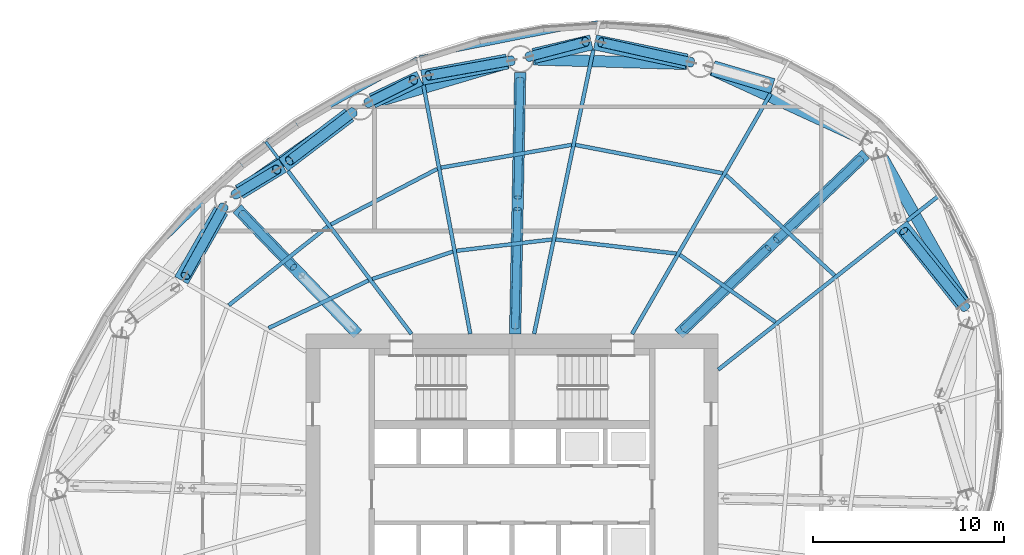
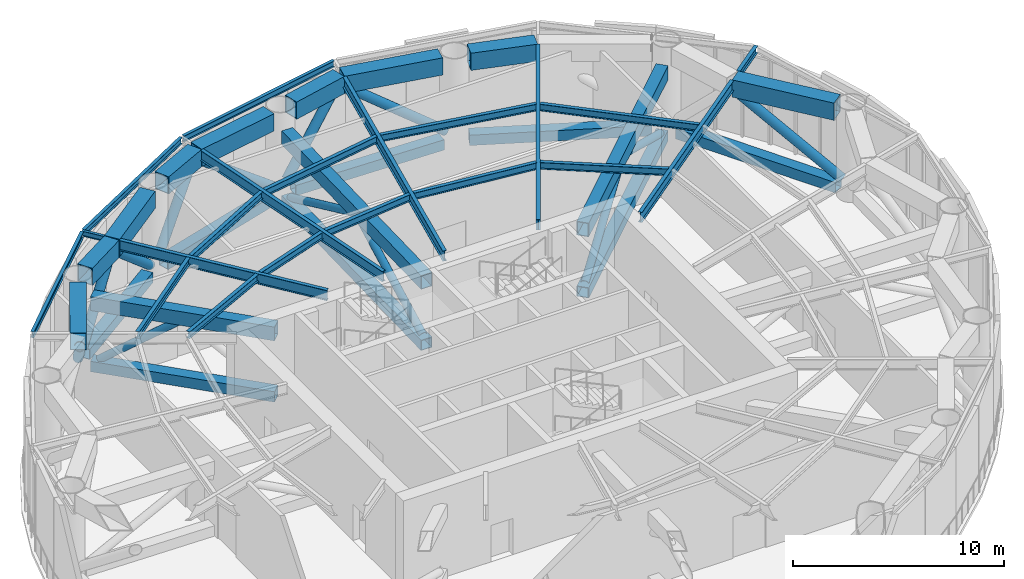
# One storey, part 5 of 19: 33 members, 20 beams.
"""IFC4 building model written with IfcOpenShell, lengths in metres."""

from ifc_helpers import new_model, si_unit, direction, frame, origin, origin_2d, place, context, subcontext, project, spatial, hollow_rectangle, hollow_circle, i_section, extrude, material, material_profile, profile_set, type_object, element, save


model = new_model("IFC4")

# Units and contexts
model_context = context("Model", 3, precision=1e-05, world=origin(), true_north=direction((0.0, 1.0)))
body_context = subcontext(model_context, "Body", "Model", "MODEL_VIEW")
ifc_project = project(units=[si_unit("LENGTHUNIT", "METRE"), si_unit("AREAUNIT", "SQUARE_METRE"), si_unit("VOLUMEUNIT", "CUBIC_METRE"), si_unit("PLANEANGLEUNIT", "RADIAN"), si_unit("MASSUNIT", "GRAM", prefix="KILO")], contexts=[model_context])

# Site, building, storey
site_placement = place(None, origin())
site = spatial("IfcSite", under=ifc_project, at=site_placement, CompositionType="ELEMENT")
building_placement = place(site_placement, origin())
building = spatial("IfcBuilding", under=site, at=building_placement, Name="Vermilion Reach Broadcast Tower", CompositionType="ELEMENT")
storey_placement = place(building_placement, frame((0.0, 0.0, 190.199951171875)))
storey = spatial("IfcBuildingStorey", under=building, at=storey_placement, Name="L46", CompositionType="ELEMENT", Elevation=190.199951171875)

# Members
ifc_material_1 = material(Name="Steel S460NL", Category="steel")
ifc_material_profile_1 = material_profile(ifc_material_1, hollow_rectangle(XDim=0.60009765625, YDim=0.60009765625, WallThickness=0.030029296875, at=origin_2d()), Name="S460NL BOX 600x600x30")
ifc_profile_set_1 = profile_set([ifc_material_profile_1], Name="Steel S460NL")
member_type_1 = type_object("IfcMemberType", Name="BT3-BC BOX 600x600x30", PredefinedType="CHORD", material=ifc_profile_set_1)
member_1_placement = place(storey_placement, frame((12.389892578125, 18.594970703125, 0.300048828125), z_axis=(-0.908546241769, 0.417784306272, 0.0), x_axis=(-0.417784306272, -0.908546241769, 0.0)))
element("IfcMember", 1, at=member_1_placement, inside=storey, type_object=member_type_1, Name="Belt truss bottom chord BT3-BC01", PredefinedType="CHORD", context=body_context, shape_type="SweptSolid", body=[
    extrude(hollow_rectangle(XDim=0.60009765625, YDim=0.60009765625, WallThickness=0.030029296875, at=origin_2d()), origin(), (0.0, 0.0, 1.0), 8.704833984375),
])
member_2_placement = place(storey_placement, frame((3.1455078125, 22.544677734375, 0.300048828125), z_axis=(-0.999569781146, 0.029330063427, 0.0), x_axis=(-0.029330063427, -0.999569781146, 0.0)))
element("IfcMember", 2, at=member_2_placement, inside=storey, type_object=member_type_1, Name="Belt truss bottom chord BT3-BC02", PredefinedType="CHORD", context=body_context, shape_type="SweptSolid", body=[
    extrude(hollow_rectangle(XDim=0.60009765625, YDim=0.60009765625, WallThickness=0.030029296875, at=origin_2d()), origin(), (0.0, 0.0, 1.0), 8.007568359375),
])
member_3_placement = place(storey_placement, frame((-6.229248046875, 22.60009765625, 0.300048828125), z_axis=(-0.958416970322, -0.285371531516, 0.0), x_axis=(0.285371531516, -0.958416970322, 0.0)))
element("IfcMember", 3, at=member_3_placement, inside=storey, type_object=member_type_1, Name="Belt truss bottom chord BT3-BC03", PredefinedType="CHORD", context=body_context, shape_type="SweptSolid", body=[
    extrude(hollow_rectangle(XDim=0.60009765625, YDim=0.60009765625, WallThickness=0.030029296875, at=origin_2d()), origin(), (0.0, 0.0, 1.0), 7.357421875),
])
member_4_placement = place(storey_placement, frame((-14.525634765625, 19.900146484375, 0.300048828125), z_axis=(-0.820111453349, -0.572203813415, 0.0), x_axis=(0.572203813415, -0.820111453349, 0.0)))
element("IfcMember", 4, at=member_4_placement, inside=storey, type_object=member_type_1, Name="Belt truss bottom chord BT3-BC04", PredefinedType="CHORD", context=body_context, shape_type="SweptSolid", body=[
    extrude(hollow_rectangle(XDim=0.60009765625, YDim=0.60009765625, WallThickness=0.030029296875, at=origin_2d()), origin(), (0.0, 0.0, 1.0), 7.04736328125),
])
member_5_placement = place(storey_placement, frame((17.696533203125, 10.026123046875, 0.300048828125), z_axis=(-0.491466825026, 0.870896296869, 0.0), x_axis=(-0.870896296869, -0.491466825026, 0.0)))
element("IfcMember", 5, at=member_5_placement, inside=storey, type_object=member_type_1, Name="Belt truss bottom chord BT3-BC16", PredefinedType="CHORD", context=body_context, shape_type="SweptSolid", body=[
    extrude(hollow_rectangle(XDim=0.60009765625, YDim=0.60009765625, WallThickness=0.030029296875, at=origin_2d()), origin(), (0.0, 0.0, 1.0), 8.803466796875),
])
ifc_material_2 = material(Name="Steel S355J2H", Category="steel")
ifc_material_profile_2 = material_profile(ifc_material_2, hollow_circle(Radius=0.25390625, WallThickness=0.02001953125, at=origin_2d()), Name="S355J2H CHS 508x20")
ifc_profile_set_2 = profile_set([ifc_material_profile_2], Name="Steel S355J2H")
member_type_2 = type_object("IfcMemberType", Name="BT3-D CHS 508x20", PredefinedType="BRACE", material=ifc_profile_set_2)
member_6_placement = place(storey_placement, frame((3.406005859375, 22.621826171875, 0.800048828125), z_axis=(-0.789732870215, 0.175604290821, 0.587779828463), x_axis=(-0.217057783335, -0.976158756911, 0.0)))
element("IfcMember", 6, at=member_6_placement, inside=storey, type_object=member_type_2, Name="Belt truss diagonal BT3-D02A", PredefinedType="BRACE", context=body_context, shape_type="SweptSolid", body=[
    extrude(hollow_circle(Radius=0.25390625, WallThickness=0.02001953125, at=origin_2d()), origin(), (0.0, 0.0, 1.0), 6.022705078125),
])
member_7_placement = place(storey_placement, frame((-5.123291015625, 22.915283203125, 0.800048828125), z_axis=(0.634026201671, 0.16794223882, 0.754855072192), x_axis=(-0.256051812758, 0.966663058766, 0.0)))
element("IfcMember", 7, at=member_7_placement, inside=storey, type_object=member_type_2, Name="Belt truss diagonal BT3-D02B", PredefinedType="BRACE", context=body_context, shape_type="SweptSolid", body=[
    extrude(hollow_circle(Radius=0.25390625, WallThickness=0.02001953125, at=origin_2d()), origin(), (0.0, 0.0, 1.0), 4.689697265625),
])
member_8_placement = place(storey_placement, frame((-6.001220703125, 22.720458984375, 0.800048828125), z_axis=(-0.770564794127, -0.138417619347, 0.622149869973), x_axis=(0.176801562769, -0.984246517597, 0.0)))
element("IfcMember", 8, at=member_8_placement, inside=storey, type_object=member_type_2, Name="Belt truss diagonal BT3-D03A", PredefinedType="BRACE", context=body_context, shape_type="SweptSolid", body=[
    extrude(hollow_circle(Radius=0.25390625, WallThickness=0.02001953125, at=origin_2d()), origin(), (0.0, 0.0, 1.0), 5.68994140625),
])
member_9_placement = place(storey_placement, frame((-13.54931640625, 20.50244140625, 0.800048828125), z_axis=(0.53969771291, 0.270700981804, 0.797149519934), x_axis=(-0.44834228964, 0.893861953167, 0.0)))
element("IfcMember", 9, at=member_9_placement, inside=storey, type_object=member_type_2, Name="Belt truss diagonal BT3-D03B", PredefinedType="BRACE", context=body_context, shape_type="SweptSolid", body=[
    extrude(hollow_circle(Radius=0.25390625, WallThickness=0.02001953125, at=origin_2d()), origin(), (0.0, 0.0, 1.0), 4.44091796875),
])
member_10_placement = place(storey_placement, frame((-14.309326171875, 20.027587890625, 0.800048828125), z_axis=(-0.609097937312, -0.464954507218, 0.642508372692), x_axis=(0.606769480888, -0.794877850404, 0.0)))
element("IfcMember", 10, at=member_10_placement, inside=storey, type_object=member_type_2, Name="Belt truss diagonal BT3-D04A", PredefinedType="BRACE", context=body_context, shape_type="SweptSolid", body=[
    extrude(hollow_circle(Radius=0.25390625, WallThickness=0.02001953125, at=origin_2d()), origin(), (0.0, 0.0, 1.0), 5.509765625),
])
member_11_placement = place(storey_placement, frame((-20.49365234375, 15.699462890625, 0.800048828125), z_axis=(0.498854282435, 0.300501118662, 0.812922802349), x_axis=(-0.515995613285, 0.856591225189, 0.0)))
element("IfcMember", 11, at=member_11_placement, inside=storey, type_object=member_type_2, Name="Belt truss diagonal BT3-D04B", PredefinedType="BRACE", context=body_context, shape_type="SweptSolid", body=[
    extrude(hollow_circle(Radius=0.25390625, WallThickness=0.02001953125, at=origin_2d()), origin(), (0.0, 0.0, 1.0), 4.354736328125),
])
member_12_placement = place(storey_placement, frame((-21.096923828125, 15.073486328125, 0.800048828125), z_axis=(-0.36814083043, -0.66593798936, 0.648844298193), x_axis=(0.875173391155, -0.483809399881, 0.0)))
element("IfcMember", 12, at=member_12_placement, inside=storey, type_object=member_type_2, Name="Belt truss diagonal BT3-D05A", PredefinedType="BRACE", context=body_context, shape_type="SweptSolid", body=[
    extrude(hollow_circle(Radius=0.25390625, WallThickness=0.02001953125, at=origin_2d()), origin(), (0.0, 0.0, 1.0), 5.455810546875),
])
member_13_placement = place(storey_placement, frame((17.758056640625, 9.766845703125, 0.800048828125), z_axis=(-0.517850533058, 0.642158049048, 0.565211345829), x_axis=(-0.778424211723, -0.62773859735, 0.0)))
element("IfcMember", 13, at=member_13_placement, inside=storey, type_object=member_type_2, Name="Belt truss diagonal BT3-D16A", PredefinedType="BRACE", context=body_context, shape_type="SweptSolid", body=[
    extrude(hollow_circle(Radius=0.25390625, WallThickness=0.02001953125, at=origin_2d()), origin(), (0.0, 0.0, 1.0), 6.26318359375),
])
ifc_material_3 = material(Name="Steel S460NL", Category="steel")
ifc_material_profile_3 = material_profile(ifc_material_3, hollow_rectangle(XDim=0.800048828125, YDim=1.0, WallThickness=0.0400390625, at=origin_2d()), Name="S460NL BOX 800x1000x40")
ifc_profile_set_3 = profile_set([ifc_material_profile_3], Name="Steel S460NL")
member_type_3 = type_object("IfcMemberType", Name="BT3-TC BOX 800x1000x40", PredefinedType="CHORD", material=ifc_profile_set_3)
member_14_placement = place(storey_placement, frame((7.654052734375, 21.384765625, 4.85009765625), z_axis=(-0.958062589396, 0.286559024983, 0.0), x_axis=(-0.286559024983, -0.958062589396, 0.0)))
element("IfcMember", 14, at=member_14_placement, inside=storey, type_object=member_type_3, Name="Belt truss top chord BT3-TC02", PredefinedType="CHORD", context=body_context, shape_type="SweptSolid", body=[
    extrude(hollow_rectangle(XDim=0.800048828125, YDim=1.0, WallThickness=0.0400390625, at=origin_2d()), origin(), (0.0, 0.0, 1.0), 3.265625),
])
member_15_placement = place(storey_placement, frame((3.150146484375, 22.6689453125, 4.85009765625), z_axis=(-0.978936154823, 0.204166610347, 0.0), x_axis=(-0.204166610347, -0.978936154823, 0.0)))
element("IfcMember", 15, at=member_15_placement, inside=storey, type_object=member_type_3, Name="Belt truss top chord BT3-TC03", PredefinedType="CHORD", context=body_context, shape_type="SweptSolid", body=[
    extrude(hollow_rectangle(XDim=0.800048828125, YDim=1.0, WallThickness=0.0400390625, at=origin_2d()), origin(), (0.0, 0.0, 1.0), 4.912353515625),
])
member_16_placement = place(storey_placement, frame((-1.841064453125, 23.669677734375, 4.85009765625), z_axis=(-0.97370078773, -0.227830586124, 0.0), x_axis=(0.227830586124, -0.97370078773, 0.0)))
element("IfcMember", 16, at=member_16_placement, inside=storey, type_object=member_type_3, Name="Belt truss top chord BT3-TC04", PredefinedType="CHORD", context=body_context, shape_type="SweptSolid", body=[
    extrude(hollow_rectangle(XDim=0.800048828125, YDim=1.0, WallThickness=0.0400390625, at=origin_2d()), origin(), (0.0, 0.0, 1.0), 3.107666015625),
])
member_17_placement = place(storey_placement, frame((-6.255859375, 22.66845703125, 4.85009765625), z_axis=(-0.982737253011, -0.185006733779, 0.0), x_axis=(0.185006733779, -0.982737253011, 0.0)))
element("IfcMember", 17, at=member_17_placement, inside=storey, type_object=member_type_3, Name="Belt truss top chord BT3-TC05", PredefinedType="CHORD", context=body_context, shape_type="SweptSolid", body=[
    extrude(hollow_rectangle(XDim=0.800048828125, YDim=1.0, WallThickness=0.0400390625, at=origin_2d()), origin(), (0.0, 0.0, 1.0), 4.53564453125),
])
member_18_placement = place(storey_placement, frame((-10.82080078125, 21.794189453125, 4.85009765625), z_axis=(-0.902574055151, -0.430534638524, 0.0), x_axis=(0.430534638524, -0.902574055151, 0.0)))
element("IfcMember", 18, at=member_18_placement, inside=storey, type_object=member_type_3, Name="Belt truss top chord BT3-TC06", PredefinedType="CHORD", context=body_context, shape_type="SweptSolid", body=[
    extrude(hollow_rectangle(XDim=0.800048828125, YDim=1.0, WallThickness=0.0400390625, at=origin_2d()), origin(), (0.0, 0.0, 1.0), 2.7587890625),
])
member_19_placement = place(storey_placement, frame((-14.517578125, 19.871826171875, 4.85009765625), z_axis=(-0.796881904774, -0.604135108932, 0.0), x_axis=(0.604135108932, -0.796881904774, 0.0)))
element("IfcMember", 19, at=member_19_placement, inside=storey, type_object=member_type_3, Name="Belt truss top chord BT3-TC07", PredefinedType="CHORD", context=body_context, shape_type="SweptSolid", body=[
    extrude(hollow_rectangle(XDim=0.800048828125, YDim=1.0, WallThickness=0.0400390625, at=origin_2d()), origin(), (0.0, 0.0, 1.0), 4.3369140625),
])
member_20_placement = place(storey_placement, frame((-18.014404296875, 17.223876953125, 4.85009765625), z_axis=(-0.852495327157, -0.522734844043, 0.0), x_axis=(0.522734844043, -0.852495327157, 0.0)))
element("IfcMember", 20, at=member_20_placement, inside=storey, type_object=member_type_3, Name="Belt truss top chord BT3-TC08", PredefinedType="CHORD", context=body_context, shape_type="SweptSolid", body=[
    extrude(hollow_rectangle(XDim=0.800048828125, YDim=1.0, WallThickness=0.0400390625, at=origin_2d()), origin(), (0.0, 0.0, 1.0), 2.650390625),
])
member_21_placement = place(storey_placement, frame((-21.232177734375, 14.851318359375, 4.85009765625), z_axis=(-0.49728541573, -0.867587007338, 0.0), x_axis=(0.867587007338, -0.49728541573, 0.0)))
element("IfcMember", 21, at=member_21_placement, inside=storey, type_object=member_type_3, Name="Belt truss top chord BT3-TC09", PredefinedType="CHORD", context=body_context, shape_type="SweptSolid", body=[
    extrude(hollow_rectangle(XDim=0.800048828125, YDim=1.0, WallThickness=0.0400390625, at=origin_2d()), origin(), (0.0, 0.0, 1.0), 4.195068359375),
])
member_22_placement = place(storey_placement, frame((17.600830078125, 9.97412109375, 4.85009765625), z_axis=(-0.619189459587, 0.785241627231, 0.0), x_axis=(-0.785241627231, -0.619189459587, 0.0)))
element("IfcMember", 22, at=member_22_placement, inside=storey, type_object=member_type_3, Name="Belt truss top chord BT3-TC31", PredefinedType="CHORD", context=body_context, shape_type="SweptSolid", body=[
    extrude(hollow_rectangle(XDim=0.800048828125, YDim=1.0, WallThickness=0.0400390625, at=origin_2d()), origin(), (0.0, 0.0, 1.0), 5.222412109375),
])

# Beams
ifc_material_4 = material(Name="Steel S355J2", Category="steel")
ifc_material_profile_4 = material_profile(ifc_material_4, i_section(OverallWidth=0.175048828125, OverallDepth=0.35009765625, WebThickness=0.007080078125, FlangeThickness=0.010986328125, at=origin_2d()), Name="S355J2 HN 350x175x7x11")
ifc_profile_set_4 = profile_set([ifc_material_profile_4], Name="Steel S355J2")
beam_type_1 = type_object("IfcBeamType", Name="EB4 HN 350x175x7x11", PredefinedType="BEAM", material=ifc_profile_set_4)
beam_1_placement = place(storey_placement, frame((-1.51513671875, 24.72705078125, 5.175048828125), z_axis=(-0.980974018231, -0.194139062416, 0.0), x_axis=(0.194139062416, -0.980974018231, 0.0)))
element("IfcBeam", 23, at=beam_1_placement, inside=storey, type_object=beam_type_1, Name="Edge beam EB4-02", PredefinedType="BEAM", context=body_context, shape_type="SweptSolid", body=[
    extrude(i_section(OverallWidth=0.175048828125, OverallDepth=0.35009765625, WebThickness=0.007080078125, FlangeThickness=0.010986328125, at=origin_2d()), origin(), (0.0, 0.0, 1.0), 9.500732421875),
])
beam_2_placement = place(storey_placement, frame((-10.977783203125, 22.829833984375, 5.175048828125), z_axis=(-0.875822279615, -0.482633747816, 0.0), x_axis=(0.482633747816, -0.875822279615, 0.0)))
element("IfcBeam", 24, at=beam_2_placement, inside=storey, type_object=beam_type_1, Name="Edge beam EB4-03", PredefinedType="BEAM", context=body_context, shape_type="SweptSolid", body=[
    extrude(i_section(OverallWidth=0.175048828125, OverallDepth=0.35009765625, WebThickness=0.007080078125, FlangeThickness=0.010986328125, at=origin_2d()), origin(), (0.0, 0.0, 1.0), 8.963623046875),
])
beam_3_placement = place(storey_placement, frame((-18.948974609375, 18.41455078125, 5.175048828125), z_axis=(-0.717877337912, -0.69616961131, 0.0), x_axis=(0.69616961131, -0.717877337912, 0.0)))
element("IfcBeam", 25, at=beam_3_placement, inside=storey, type_object=beam_type_1, Name="Edge beam EB4-04", PredefinedType="BEAM", context=body_context, shape_type="SweptSolid", body=[
    extrude(i_section(OverallWidth=0.175048828125, OverallDepth=0.35009765625, WebThickness=0.007080078125, FlangeThickness=0.010986328125, at=origin_2d()), origin(), (0.0, 0.0, 1.0), 8.659912109375),
])
ifc_material_5 = material(Name="Steel S355J2", Category="steel")
ifc_material_profile_5 = material_profile(ifc_material_5, i_section(OverallWidth=0.199951171875, OverallDepth=0.60009765625, WebThickness=0.010986328125, FlangeThickness=0.01708984375, at=origin_2d()), Name="S355J2 HN 600x200x11x17")
ifc_profile_set_5 = profile_set([ifc_material_profile_5], Name="Steel S355J2")
beam_type_2 = type_object("IfcBeamType", Name="G4 HN 600x200x11x17", PredefinedType="BEAM", material=ifc_profile_set_5)
beam_4_placement = place(storey_placement, frame((0.288330078125, 8.39990234375, 5.050048828125), z_axis=(0.499328960966, 0.86641248187, 0.0), x_axis=(-0.86641248187, 0.499328960966, 0.0)))
element("IfcBeam", 26, at=beam_4_placement, inside=storey, type_object=beam_type_2, Name="Girder G4-01", PredefinedType="BEAM", context=body_context, shape_type="SweptSolid", body=[
    extrude(i_section(OverallWidth=0.199951171875, OverallDepth=0.60009765625, WebThickness=0.010986328125, FlangeThickness=0.01708984375, at=origin_2d()), origin(), (0.0, 0.0, 1.0), 14.5400390625),
])
beam_5_placement = place(storey_placement, frame((-4.84375, 8.39990234375, 5.050048828125), z_axis=(0.20416782623, 0.978935901238, 0.0), x_axis=(-0.978935901238, 0.20416782623, 0.0)))
element("IfcBeam", 27, at=beam_5_placement, inside=storey, type_object=beam_type_2, Name="Girder G4-02", PredefinedType="BEAM", context=body_context, shape_type="SweptSolid", body=[
    extrude(i_section(OverallWidth=0.199951171875, OverallDepth=0.60009765625, WebThickness=0.010986328125, FlangeThickness=0.01708984375, at=origin_2d()), origin(), (0.0, 0.0, 1.0), 15.200927734375),
])
beam_6_placement = place(storey_placement, frame((-8.184326171875, 8.39990234375, 5.050048828125), z_axis=(-0.185057440296, 0.982727705822, 0.0), x_axis=(-0.982727705822, -0.185057440296, 0.0)))
element("IfcBeam", 28, at=beam_6_placement, inside=storey, type_object=beam_type_2, Name="Girder G4-03", PredefinedType="BEAM", context=body_context, shape_type="SweptSolid", body=[
    extrude(i_section(OverallWidth=0.199951171875, OverallDepth=0.60009765625, WebThickness=0.010986328125, FlangeThickness=0.01708984375, at=origin_2d()), origin(), (0.0, 0.0, 1.0), 13.26513671875),
])
beam_7_placement = place(storey_placement, frame((-11.26318359375, 8.39990234375, 5.050048828125), z_axis=(-0.604106994463, 0.79690321824, 0.0), x_axis=(-0.79690321824, -0.604106994463, 0.0)))
element("IfcBeam", 29, at=beam_7_placement, inside=storey, type_object=beam_type_2, Name="Girder G4-04", PredefinedType="BEAM", context=body_context, shape_type="SweptSolid", body=[
    extrude(i_section(OverallWidth=0.199951171875, OverallDepth=0.60009765625, WebThickness=0.010986328125, FlangeThickness=0.01708984375, at=origin_2d()), origin(), (0.0, 0.0, 1.0), 10.7080078125),
])
beam_8_placement = place(storey_placement, frame((4.800048828125, 6.53125, 5.050048828125), z_axis=(0.785245918338, 0.619184017666, 0.0), x_axis=(-0.619184017666, 0.785245918338, 0.0)))
element("IfcBeam", 30, at=beam_8_placement, inside=storey, type_object=beam_type_2, Name="Girder G4-16", PredefinedType="BEAM", context=body_context, shape_type="SweptSolid", body=[
    extrude(i_section(OverallWidth=0.199951171875, OverallDepth=0.60009765625, WebThickness=0.010986328125, FlangeThickness=0.01708984375, at=origin_2d()), origin(), (0.0, 0.0, 1.0), 11.783447265625),
])
ifc_material_6 = material(Name="Steel S355J2", Category="steel")
ifc_material_profile_6 = material_profile(ifc_material_6, i_section(OverallWidth=0.199951171875, OverallDepth=0.39990234375, WebThickness=0.008056640625, FlangeThickness=0.012939453125, at=origin_2d()), Name="S355J2 HN 400x200x8x13")
ifc_profile_set_6 = profile_set([ifc_material_profile_6], Name="Steel S355J2")
beam_type_3 = type_object("IfcBeamType", Name="GC4 HN 400x200x8x13", PredefinedType="BEAM", material=ifc_profile_set_6)
beam_9_placement = place(storey_placement, frame((14.68115234375, 14.32275390625, 5.150146484375), z_axis=(0.785295110359, 0.619121627506, 0.0), x_axis=(-0.619121627506, 0.785295110359, 0.0)))
element("IfcBeam", 31, at=beam_9_placement, inside=storey, type_object=beam_type_3, Name="Cantilever girder GC4-16", PredefinedType="BEAM", context=body_context, shape_type="SweptSolid", body=[
    extrude(i_section(OverallWidth=0.199951171875, OverallDepth=0.39990234375, WebThickness=0.008056640625, FlangeThickness=0.012939453125, at=origin_2d()), origin(), (0.0, 0.0, 1.0), 2.28759765625),
])
ifc_material_7 = material(Name="Steel S355J2", Category="steel")
ifc_material_profile_7 = material_profile(ifc_material_7, i_section(OverallWidth=0.14990234375, OverallDepth=0.300048828125, WebThickness=0.006591796875, FlangeThickness=0.009033203125, at=origin_2d()), Name="S355J2 HN 300x150x6.5x9")
ifc_profile_set_7 = profile_set([ifc_material_profile_7], Name="Steel S355J2")
beam_type_4 = type_object("IfcBeamType", Name="GS4 HN 300x150x6.5x9", PredefinedType="BEAM", material=ifc_profile_set_7)
beam_10_placement = place(storey_placement, frame((-18.21533203125, 17.570556640625, 5.199951171875), z_axis=(-0.604020644864, 0.796968669759, 0.0), x_axis=(-0.796968669759, -0.604020644864, 0.0)))
element("IfcBeam", 32, at=beam_10_placement, inside=storey, type_object=beam_type_4, Name="Cantilever stub GS4-04", PredefinedType="BEAM", context=body_context, shape_type="SweptSolid", body=[
    extrude(i_section(OverallWidth=0.14990234375, OverallDepth=0.300048828125, WebThickness=0.006591796875, FlangeThickness=0.009033203125, at=origin_2d()), origin(), (0.0, 0.0, 1.0), 1.124755859375),
])

# Members
ifc_material_8 = material(Name="Steel S460NL", Category="steel")
ifc_material_profile_8 = material_profile(ifc_material_8, hollow_rectangle(XDim=0.60009765625, YDim=0.60009765625, WallThickness=0.030029296875, at=origin_2d()), Name="S460NL BOX 600x600x30")
ifc_profile_set_8 = profile_set([ifc_material_profile_8], Name="Steel S460NL")
member_type_4 = type_object("IfcMemberType", Name="OR3-BC BOX 600x600x30", PredefinedType="CHORD", material=ifc_profile_set_8)
member_23_placement = place(storey_placement, frame((2.73193359375, 8.39990234375, 0.300048828125), z_axis=(0.720669342644, 0.693278947158, 0.0), x_axis=(-0.693278947158, 0.720669342644, 0.0)))
element("IfcMember", 33, at=member_23_placement, inside=storey, type_object=member_type_4, Name="Outrigger bottom chord OR3-01", PredefinedType="CHORD", context=body_context, shape_type="SweptSolid", body=[
    extrude(hollow_rectangle(XDim=0.60009765625, YDim=0.60009765625, WallThickness=0.030029296875, at=origin_2d()), origin(), (0.0, 0.0, 1.0), 13.583984375),
])
member_24_placement = place(storey_placement, frame((-5.837158203125, 8.39990234375, 0.300048828125), z_axis=(0.019366956402, 0.999812442911, 0.0), x_axis=(-0.999812442911, 0.019366956402, 0.0)))
element("IfcMember", 34, at=member_24_placement, inside=storey, type_object=member_type_4, Name="Outrigger bottom chord OR3-03", PredefinedType="CHORD", context=body_context, shape_type="SweptSolid", body=[
    extrude(hollow_rectangle(XDim=0.60009765625, YDim=0.60009765625, WallThickness=0.030029296875, at=origin_2d()), origin(), (0.0, 0.0, 1.0), 13.702880859375),
])
member_25_placement = place(storey_placement, frame((-14.08056640625, 8.39990234375, 0.300048828125), z_axis=(-0.693288178928, 0.720660461631, 0.0), x_axis=(-0.720660461631, -0.693288178928, 0.0)))
element("IfcMember", 35, at=member_25_placement, inside=storey, type_object=member_type_4, Name="Outrigger bottom chord OR3-05", PredefinedType="CHORD", context=body_context, shape_type="SweptSolid", body=[
    extrude(hollow_rectangle(XDim=0.60009765625, YDim=0.60009765625, WallThickness=0.030029296875, at=origin_2d()), origin(), (0.0, 0.0, 1.0), 9.106689453125),
])
ifc_material_9 = material(Name="Steel S355J2H", Category="steel")
ifc_material_profile_9 = material_profile(ifc_material_9, hollow_circle(Radius=0.203125, WallThickness=0.01611328125, at=origin_2d()), Name="S355J2H CHS 406x16")
ifc_profile_set_9 = profile_set([ifc_material_profile_9], Name="Steel S355J2H")
member_type_5 = type_object("IfcMemberType", Name="OR3-D CHS 406x16", PredefinedType="BRACE", material=ifc_profile_set_9)
member_26_placement = place(storey_placement, frame((2.984130859375, 8.642578125, 0.60009765625), z_axis=(0.649622917392, 0.624935096648, 0.432950563202), x_axis=(-0.693280284756, 0.720668055882, 0.0)))
element("IfcMember", 36, at=member_26_placement, inside=storey, type_object=member_type_5, Name="Outrigger diagonal OR3-01-DA", PredefinedType="BRACE", context=body_context, shape_type="SweptSolid", body=[
    extrude(hollow_circle(Radius=0.203125, WallThickness=0.01611328125, at=origin_2d()), origin(), (0.0, 0.0, 1.0), 6.8134765625),
])
member_27_placement = place(storey_placement, frame((12.269287109375, 17.57470703125, 0.60009765625), z_axis=(-0.64964362685, -0.624920550212, 0.432940485535), x_axis=(0.693260424955, -0.720687160418, 0.0)))
element("IfcMember", 37, at=member_27_placement, inside=storey, type_object=member_type_5, Name="Outrigger diagonal OR3-01-DB", PredefinedType="BRACE", context=body_context, shape_type="SweptSolid", body=[
    extrude(hollow_circle(Radius=0.203125, WallThickness=0.01611328125, at=origin_2d()), origin(), (0.0, 0.0, 1.0), 6.813720703125),
])
for number, where, z_axis, x_axis, name in (
    (38, (-5.83056640625, 8.75, 0.60009765625), (0.017491319621, 0.902864945325, 0.429568323136), (-0.999812393732, 0.019369495106, 0.0), "Outrigger diagonal OR3-03-DA"),
    (39, (-5.57861328125, 21.750244140625, 0.60009765625), (-0.017491319621, -0.902864945325, 0.429568323136), (0.999812393732, -0.019369495106, 0.0), "Outrigger diagonal OR3-03-DB"),
):
    element("IfcMember", number, at=place(storey_placement, frame(where, z_axis=z_axis, x_axis=x_axis)), inside=storey, type_object=member_type_5, Name=name, PredefinedType="BRACE", context=body_context, shape_type="SweptSolid", body=[
        extrude(hollow_circle(Radius=0.203125, WallThickness=0.01611328125, at=origin_2d()), origin(), (0.0, 0.0, 1.0), 6.8671875),
    ])
member_28_placement = place(storey_placement, frame((-20.1513671875, 14.71044921875, 0.60009765625), z_axis=(0.553087732737, -0.574943779917, 0.602937484181), x_axis=(0.720671989303, 0.693276195924, 0.0)))
element("IfcMember", 40, at=member_28_placement, inside=storey, type_object=member_type_5, Name="Outrigger diagonal OR3-05-DB", PredefinedType="BRACE", context=body_context, shape_type="SweptSolid", body=[
    extrude(hollow_circle(Radius=0.203125, WallThickness=0.01611328125, at=origin_2d()), origin(), (0.0, 0.0, 1.0), 4.892578125),
])
ifc_material_10 = material(Name="Steel S460NL", Category="steel")
ifc_material_profile_10 = material_profile(ifc_material_10, hollow_rectangle(XDim=0.60009765625, YDim=0.800048828125, WallThickness=0.030029296875, at=origin_2d()), Name="S460NL BOX 600x800x30")
ifc_profile_set_10 = profile_set([ifc_material_profile_10], Name="Steel S460NL")
member_type_6 = type_object("IfcMemberType", Name="OR3-TC BOX 600x800x30", PredefinedType="CHORD", material=ifc_profile_set_10)
member_29_placement = place(storey_placement, frame((2.73193359375, 8.39990234375, 3.949951171875), z_axis=(0.720669342644, 0.693278947158, 0.0), x_axis=(-0.693278947158, 0.720669342644, 0.0)))
element("IfcMember", 41, at=member_29_placement, inside=storey, type_object=member_type_6, Name="Outrigger top chord OR3-01", PredefinedType="CHORD", context=body_context, shape_type="SweptSolid", body=[
    extrude(hollow_rectangle(XDim=0.60009765625, YDim=0.800048828125, WallThickness=0.030029296875, at=origin_2d()), origin(), (0.0, 0.0, 1.0), 13.583984375),
])
member_30_placement = place(storey_placement, frame((-5.837158203125, 8.39990234375, 3.949951171875), z_axis=(0.019366956402, 0.999812442911, 0.0), x_axis=(-0.999812442911, 0.019366956402, 0.0)))
element("IfcMember", 42, at=member_30_placement, inside=storey, type_object=member_type_6, Name="Outrigger top chord OR3-03", PredefinedType="CHORD", context=body_context, shape_type="SweptSolid", body=[
    extrude(hollow_rectangle(XDim=0.60009765625, YDim=0.800048828125, WallThickness=0.030029296875, at=origin_2d()), origin(), (0.0, 0.0, 1.0), 13.702880859375),
])
member_31_placement = place(storey_placement, frame((-14.08056640625, 8.39990234375, 3.949951171875), z_axis=(-0.693288178928, 0.720660461631, 0.0), x_axis=(-0.720660461631, -0.693288178928, 0.0)))
element("IfcMember", 43, at=member_31_placement, inside=storey, type_object=member_type_6, Name="Outrigger top chord OR3-05", PredefinedType="CHORD", context=body_context, shape_type="SweptSolid", body=[
    extrude(hollow_rectangle(XDim=0.60009765625, YDim=0.800048828125, WallThickness=0.030029296875, at=origin_2d()), origin(), (0.0, 0.0, 1.0), 9.106689453125),
])

# Beams
ifc_material_11 = material(Name="Steel S355J2", Category="steel")
ifc_material_profile_11 = material_profile(ifc_material_11, i_section(OverallWidth=0.199951171875, OverallDepth=0.39990234375, WebThickness=0.008056640625, FlangeThickness=0.012939453125, at=origin_2d()), Name="S355J2 HN 400x200x8x13")
ifc_profile_set_11 = profile_set([ifc_material_profile_11], Name="Steel S355J2")
beam_type_5 = type_object("IfcBeamType", Name="SB4 HN 400x200x8x13", PredefinedType="BEAM", material=ifc_profile_set_11)
beam_11_placement = place(storey_placement, frame((2.600341796875, 12.61181640625, 5.150146484375), z_axis=(-0.993255395857, 0.115947050853, 0.0), x_axis=(-0.115947050853, -0.993255395857, 0.0)))
element("IfcBeam", 44, at=beam_11_placement, inside=storey, type_object=beam_type_5, Name="Secondary beam SB4-01-1", PredefinedType="BEAM", context=body_context, shape_type="SweptSolid", body=[
    extrude(i_section(OverallWidth=0.199951171875, OverallDepth=0.39990234375, WebThickness=0.008056640625, FlangeThickness=0.012939453125, at=origin_2d()), origin(), (0.0, 0.0, 1.0), 6.3525390625),
])
beam_12_placement = place(storey_placement, frame((5.024658203125, 16.818359375, 5.150146484375), z_axis=(-0.981961122751, 0.189082927327, 0.0), x_axis=(-0.189082927327, -0.981961122751, 0.0)))
element("IfcBeam", 45, at=beam_12_placement, inside=storey, type_object=beam_type_5, Name="Secondary beam SB4-01-2", PredefinedType="BEAM", context=body_context, shape_type="SweptSolid", body=[
    extrude(i_section(OverallWidth=0.199951171875, OverallDepth=0.39990234375, WebThickness=0.008056640625, FlangeThickness=0.012939453125, at=origin_2d()), origin(), (0.0, 0.0, 1.0), 7.842529296875),
])
beam_13_placement = place(storey_placement, frame((-3.9140625, 13.34765625, 5.150146484375), z_axis=(-0.993066424058, -0.117554572048, 0.0), x_axis=(0.117554572048, -0.993066424058, 0.0)))
element("IfcBeam", 46, at=beam_13_placement, inside=storey, type_object=beam_type_5, Name="Secondary beam SB4-02-1", PredefinedType="BEAM", context=body_context, shape_type="SweptSolid", body=[
    extrude(i_section(OverallWidth=0.199951171875, OverallDepth=0.39990234375, WebThickness=0.008056640625, FlangeThickness=0.012939453125, at=origin_2d()), origin(), (0.0, 0.0, 1.0), 5.02392578125),
])
beam_14_placement = place(storey_placement, frame((-2.880859375, 18.3017578125, 5.150146484375), z_axis=(-0.9851140677, -0.171901930238, 0.0), x_axis=(0.171901930238, -0.9851140677, 0.0)))
element("IfcBeam", 47, at=beam_14_placement, inside=storey, type_object=beam_type_5, Name="Secondary beam SB4-02-2", PredefinedType="BEAM", context=body_context, shape_type="SweptSolid", body=[
    extrude(i_section(OverallWidth=0.199951171875, OverallDepth=0.39990234375, WebThickness=0.008056640625, FlangeThickness=0.012939453125, at=origin_2d()), origin(), (0.0, 0.0, 1.0), 6.94482421875),
])
beam_15_placement = place(storey_placement, frame((-9.09814453125, 12.712890625, 5.150146484375), z_axis=(-0.946827466732, -0.321741741529, 0.0), x_axis=(0.321741741529, -0.946827466732, 0.0)))
element("IfcBeam", 48, at=beam_15_placement, inside=storey, type_object=beam_type_5, Name="Secondary beam SB4-03-1", PredefinedType="BEAM", context=body_context, shape_type="SweptSolid", body=[
    extrude(i_section(OverallWidth=0.199951171875, OverallDepth=0.39990234375, WebThickness=0.008056640625, FlangeThickness=0.012939453125, at=origin_2d()), origin(), (0.0, 0.0, 1.0), 4.458740234375),
])
beam_16_placement = place(storey_placement, frame((-9.91357421875, 17.04248046875, 5.150146484375), z_axis=(-0.886603546562, -0.462530162501, 0.0), x_axis=(0.462530162501, -0.886603546562, 0.0)))
element("IfcBeam", 49, at=beam_16_placement, inside=storey, type_object=beam_type_5, Name="Secondary beam SB4-03-2", PredefinedType="BEAM", context=body_context, shape_type="SweptSolid", body=[
    extrude(i_section(OverallWidth=0.199951171875, OverallDepth=0.39990234375, WebThickness=0.008056640625, FlangeThickness=0.012939453125, at=origin_2d()), origin(), (0.0, 0.0, 1.0), 6.284912109375),
])
beam_17_placement = place(storey_placement, frame((-13.51171875, 11.200439453125, 5.150146484375), z_axis=(-0.902842619544, -0.429971166864, 0.0), x_axis=(0.429971166864, -0.902842619544, 0.0)))
element("IfcBeam", 50, at=beam_17_placement, inside=storey, type_object=beam_type_5, Name="Secondary beam SB4-04-1", PredefinedType="BEAM", context=body_context, shape_type="SweptSolid", body=[
    extrude(i_section(OverallWidth=0.199951171875, OverallDepth=0.39990234375, WebThickness=0.008056640625, FlangeThickness=0.012939453125, at=origin_2d()), origin(), (0.0, 0.0, 1.0), 5.799072265625),
])
beam_18_placement = place(storey_placement, frame((-15.654052734375, 14.0263671875, 5.150146484375), z_axis=(-0.781997470502, -0.623281602591, 0.0), x_axis=(0.623281602591, -0.781997470502, 0.0)))
element("IfcBeam", 51, at=beam_18_placement, inside=storey, type_object=beam_type_5, Name="Secondary beam SB4-04-2", PredefinedType="BEAM", context=body_context, shape_type="SweptSolid", body=[
    extrude(i_section(OverallWidth=0.199951171875, OverallDepth=0.39990234375, WebThickness=0.008056640625, FlangeThickness=0.012939453125, at=origin_2d()), origin(), (0.0, 0.0, 1.0), 6.618896484375),
])
beam_19_placement = place(storey_placement, frame((7.798828125, 9.023193359375, 5.150146484375), z_axis=(-0.818271309838, 0.574832204644, 0.0), x_axis=(-0.574832204644, -0.818271309838, 0.0)))
element("IfcBeam", 52, at=beam_19_placement, inside=storey, type_object=beam_type_5, Name="Secondary beam SB4-16-1", PredefinedType="BEAM", context=body_context, shape_type="SweptSolid", body=[
    extrude(i_section(OverallWidth=0.199951171875, OverallDepth=0.39990234375, WebThickness=0.008056640625, FlangeThickness=0.012939453125, at=origin_2d()), origin(), (0.0, 0.0, 1.0), 6.12060546875),
])
beam_20_placement = place(storey_placement, frame((10.894287109375, 11.464111328125, 5.150146484375), z_axis=(-0.734049595431, 0.679095863224, 0.0), x_axis=(-0.679095863224, -0.734049595431, 0.0)))
element("IfcBeam", 53, at=beam_20_placement, inside=storey, type_object=beam_type_5, Name="Secondary beam SB4-16-2", PredefinedType="BEAM", context=body_context, shape_type="SweptSolid", body=[
    extrude(i_section(OverallWidth=0.199951171875, OverallDepth=0.39990234375, WebThickness=0.008056640625, FlangeThickness=0.012939453125, at=origin_2d()), origin(), (0.0, 0.0, 1.0), 7.75244140625),
])

save(model, "model.ifc")
